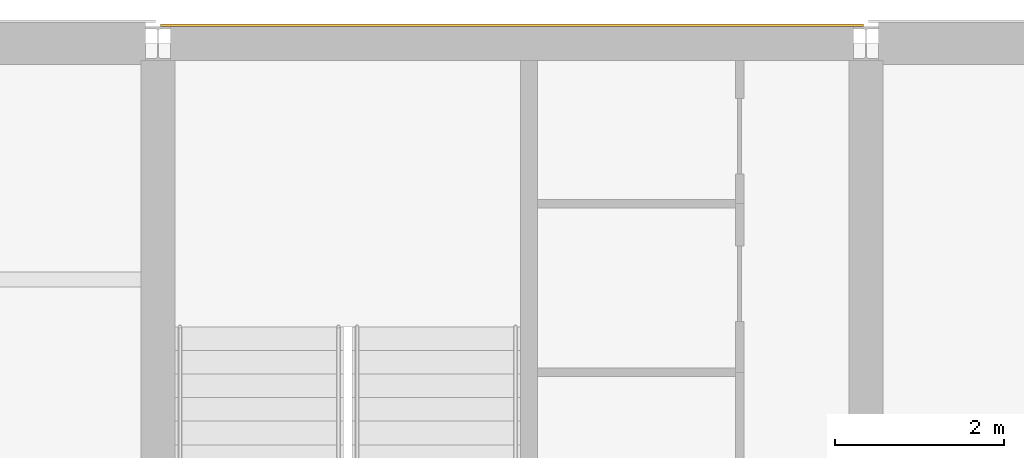
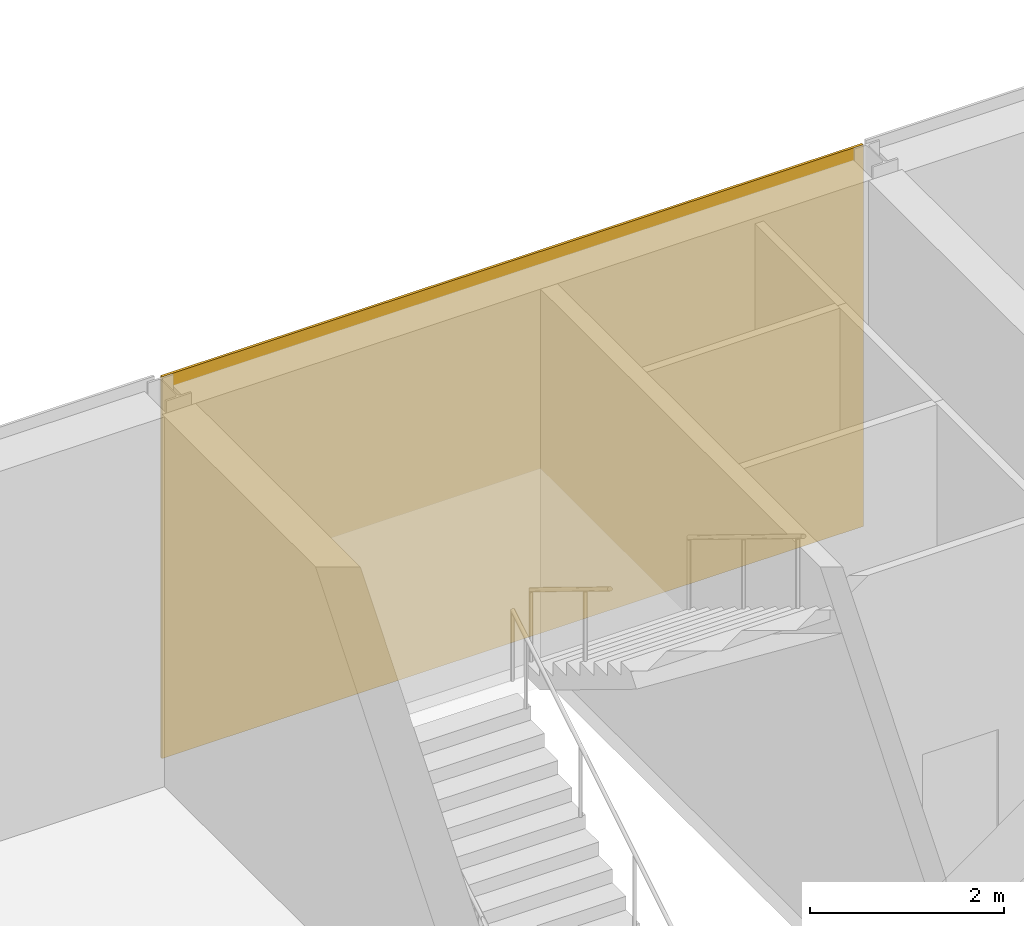
# One storey, part 44 of 52: 1 covering.
"""IFC4 building model written with IfcOpenShell, lengths in metres."""

from ifc_helpers import new_model, si_unit, direction, frame, origin, origin_2d, place, context, subcontext, project, spatial, rectangle, extrude, material, layer, layer_set, type_object, element, save


model = new_model("IFC4")

# Units and contexts
model_context = context("Model", 3, precision=1e-05, world=origin(), true_north=direction((0.0, 1.0)))
body_context = subcontext(model_context, "Body", "Model", "MODEL_VIEW")
ifc_project = project(units=[si_unit("LENGTHUNIT", "METRE"), si_unit("AREAUNIT", "SQUARE_METRE"), si_unit("VOLUMEUNIT", "CUBIC_METRE"), si_unit("PLANEANGLEUNIT", "RADIAN"), si_unit("MASSUNIT", "GRAM", prefix="KILO")], contexts=[model_context])

# Site, building, storey
site_placement = place(None, origin())
site = spatial("IfcSite", under=ifc_project, at=site_placement, CompositionType="ELEMENT")
building_placement = place(site_placement, origin())
building = spatial("IfcBuilding", under=site, at=building_placement, Name="Galleria Vessillo Department Store", CompositionType="ELEMENT")
storey_placement = place(building_placement, frame((0.0, 0.0, 16.199951171875)))
storey = spatial("IfcBuildingStorey", under=building, at=storey_placement, Name="L03", CompositionType="ELEMENT", Elevation=16.199951171875)

# Covering
ifc_material = material(Name="Lime plaster (intonaco) ochre")
ifc_layer = layer(ifc_material, 0.030029296875)
ifc_layer_set = layer_set([ifc_layer], Name="Lime plaster (intonaco) ochre")
covering_type = type_object("IfcCoveringType", Name="Lime plaster render 30 mm", PredefinedType="CLADDING", material=ifc_layer_set)
covering_placement = place(storey_placement, frame((63.0, 63.215087890625, 0.0), z_axis=(0.0, 0.0, 1.0), x_axis=(1.0, 0.0, 0.0)))
element("IfcCovering", 1, at=covering_placement, inside=storey, type_object=covering_type, Name="Wall cladding S-CW-PC-NC-PARTY-L03", PredefinedType="CLADDING", context=body_context, shape_type="SweptSolid", body=[
    extrude(rectangle(XDim=8.33984375, YDim=0.030029296875, at=origin_2d()), origin(), (0.0, 0.0, 1.0), 4.800048828125),
])

save(model, "model.ifc")
